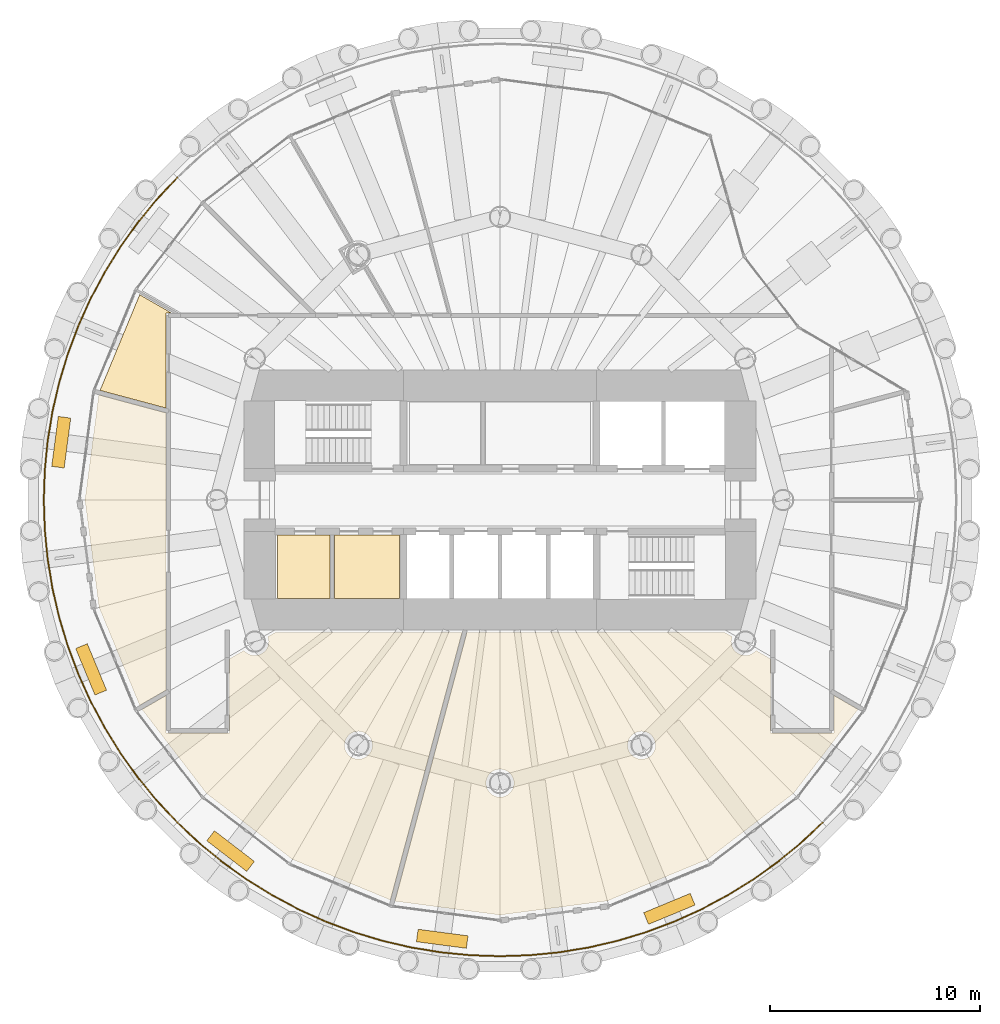
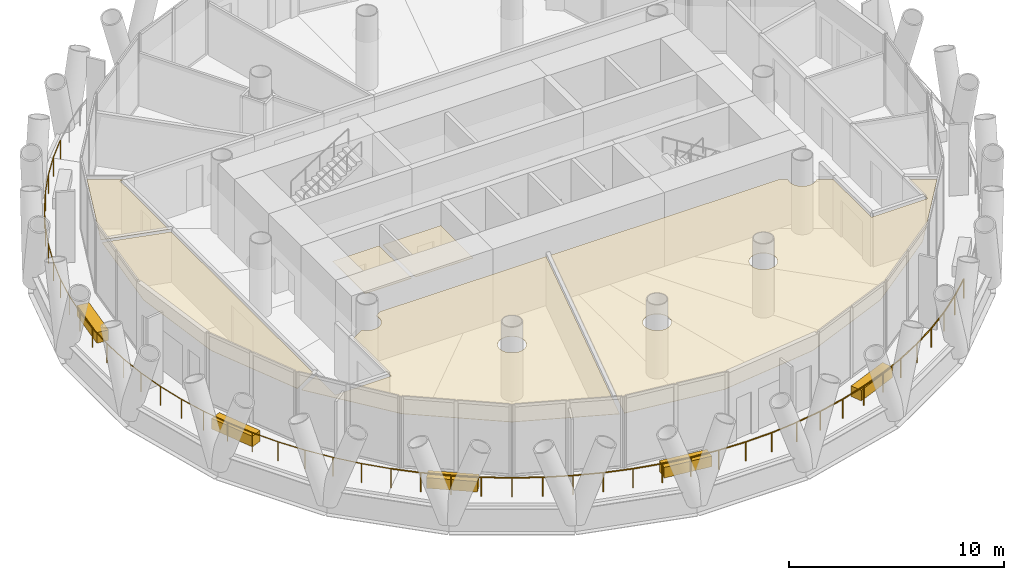
# One storey, part 12 of 14: 11 coverings, 2 railings.
"""IFC4 building model written with IfcOpenShell, lengths in metres."""

from ifc_helpers import new_model, si_unit, direction, frame, origin, origin_2d, place, context, subcontext, project, spatial, polyline, rectangle, circle, outline, extrude, material, layer, layer_set, type_object, element, save


model = new_model("IFC4")

# Units and contexts
model_context = context("Model", 3, precision=1e-05, world=origin(), true_north=direction((0.0, 1.0)))
body_context = subcontext(model_context, "Body", "Model", "MODEL_VIEW")
ifc_project = project(units=[si_unit("LENGTHUNIT", "METRE"), si_unit("AREAUNIT", "SQUARE_METRE"), si_unit("VOLUMEUNIT", "CUBIC_METRE"), si_unit("PLANEANGLEUNIT", "RADIAN"), si_unit("MASSUNIT", "GRAM", prefix="KILO")], contexts=[model_context])

# Site, building, storey
site_placement = place(None, origin())
site = spatial("IfcSite", under=ifc_project, at=site_placement, CompositionType="ELEMENT")
building_placement = place(site_placement, origin())
building = spatial("IfcBuilding", under=site, at=building_placement, Name="Qaws Media Tower", CompositionType="ELEMENT")
storey_placement = place(building_placement, frame((0.0, 0.0, 236.0)))
storey = spatial("IfcBuildingStorey", under=building, at=storey_placement, Name="L54", CompositionType="ELEMENT", Elevation=236.0)

# Railings
ifc_material_1 = material(Name="Stainless steel and glass guard", Category="steel")
railing_type = type_object("IfcRailingType", Name="Balcony guard 1100", PredefinedType="GUARDRAIL", material=ifc_material_1)
railing_1_placement = place(storey_placement, frame((44.620361328125, 65.379638671875, 0.0)))
element("IfcRailing", 1, at=railing_1_placement, inside=storey, type_object=railing_type, Name="GR1 balcony guard L54-2", PredefinedType="GUARDRAIL", context=body_context, shape_type="SweptSolid", body=[
    extrude(circle(Radius=0.02392578125, at=origin_2d()), frame((0.0, 0.0, 1.076171875), z_axis=(-0.683570152286, -0.72988481756, 0.0), x_axis=(0.72988481756, -0.683570152286, 0.0)), (0.0, 0.0, 1.0), 1.42333984375),
    extrude(circle(Radius=0.02392578125, at=origin_2d()), frame((-0.972900390625, -1.038818359375, 1.076171875), z_axis=(-0.63431135461, -0.773077683944, 0.0), x_axis=(0.773077683944, -0.63431135461, 0.0)), (0.0, 0.0, 1.0), 1.42333984375),
    extrude(circle(Radius=0.02392578125, at=origin_2d()), frame((-1.875732421875, -2.13916015625, 1.076171875), z_axis=(-0.582568052269, -0.812781929226, 0.0), x_axis=(0.812781929226, -0.582568052269, 0.0)), (0.0, 0.0, 1.0), 1.423095703125),
    extrude(circle(Radius=0.02392578125, at=origin_2d()), frame((-2.704833984375, -3.2958984375, 1.076171875), z_axis=(-0.527977591045, -0.849258301905, 0.0), x_axis=(0.849258301905, -0.527977591045, 0.0)), (0.0, 0.0, 1.0), 1.42333984375),
    extrude(circle(Radius=0.02392578125, at=origin_2d()), frame((-3.456298828125, -4.504638671875, 1.076171875), z_axis=(-0.471540585059, -0.881844360782, 0.0), x_axis=(0.881844360782, -0.471540585059, 0.0)), (0.0, 0.0, 1.0), 1.42333984375),
    extrude(circle(Radius=0.02392578125, at=origin_2d()), frame((-4.12744140625, -5.759765625, 1.076171875), z_axis=(-0.412717034944, -0.910859291585, 0.0), x_axis=(0.910859291585, -0.412717034944, 0.0)), (0.0, 0.0, 1.0), 1.42333984375),
    extrude(circle(Radius=0.02392578125, at=origin_2d()), frame((-4.71484375, -7.05615234375, 1.076171875), z_axis=(-0.352119437145, -0.935955074768, 0.0), x_axis=(0.935955074768, -0.352119437145, 0.0)), (0.0, 0.0, 1.0), 1.42333984375),
    extrude(circle(Radius=0.02392578125, at=origin_2d()), frame((-5.216064453125, -8.388427734375, 1.076171875), z_axis=(-0.290274025641, -0.956943566799, 0.0), x_axis=(0.956943566799, -0.290274025641, 0.0)), (0.0, 0.0, 1.0), 1.423095703125),
    extrude(circle(Radius=0.02392578125, at=origin_2d()), frame((-5.629150390625, -9.750244140625, 1.076171875), z_axis=(-0.227088640267, -0.973874093229, 0.0), x_axis=(0.973874093229, -0.227088640267, 0.0)), (0.0, 0.0, 1.0), 1.42333984375),
    extrude(circle(Radius=0.02392578125, at=origin_2d()), frame((-5.952392578125, -11.136474609375, 1.076171875), z_axis=(-0.162952405143, -0.986633930928, 0.0), x_axis=(0.986633930928, -0.162952405143, 0.0)), (0.0, 0.0, 1.0), 1.42333984375),
    extrude(circle(Radius=0.02392578125, at=origin_2d()), frame((-6.184326171875, -12.540771484375, 1.076171875), z_axis=(-0.097957905396, -0.995190559024, 0.0), x_axis=(0.995190559024, -0.097957905396, 0.0)), (0.0, 0.0, 1.0), 1.423095703125),
    extrude(circle(Radius=0.02392578125, at=origin_2d()), frame((-6.32373046875, -13.95703125, 1.076171875), z_axis=(-0.032760850332, -0.999463219276, 0.0), x_axis=(0.999463219276, -0.032760850332, 0.0)), (0.0, 0.0, 1.0), 1.42333984375),
    extrude(circle(Radius=0.02392578125, at=origin_2d()), frame((-6.370361328125, -15.379638671875, 1.076171875), z_axis=(0.032760850332, -0.999463219276, 0.0), x_axis=(0.999463219276, 0.032760850332, 0.0)), (0.0, 0.0, 1.0), 1.42333984375),
    extrude(circle(Radius=0.02392578125, at=origin_2d()), frame((-6.32373046875, -16.80224609375, 1.076171875), z_axis=(0.097957905396, -0.995190559024, 0.0), x_axis=(0.995190559024, 0.097957905396, 0.0)), (0.0, 0.0, 1.0), 1.423095703125),
    extrude(circle(Radius=0.02392578125, at=origin_2d()), frame((-6.184326171875, -18.218505859375, 1.076171875), z_axis=(0.162952405143, -0.986633930928, 0.0), x_axis=(0.986633930928, 0.162952405143, 0.0)), (0.0, 0.0, 1.0), 1.42333984375),
    extrude(circle(Radius=0.02392578125, at=origin_2d()), frame((-5.952392578125, -19.622802734375, 1.076171875), z_axis=(0.227088640267, -0.973874093229, 0.0), x_axis=(0.973874093229, 0.227088640267, 0.0)), (0.0, 0.0, 1.0), 1.42333984375),
    extrude(circle(Radius=0.02392578125, at=origin_2d()), frame((-5.629150390625, -21.009033203125, 1.076171875), z_axis=(0.290274025641, -0.956943566799, 0.0), x_axis=(0.956943566799, 0.290274025641, 0.0)), (0.0, 0.0, 1.0), 1.423095703125),
    extrude(circle(Radius=0.02392578125, at=origin_2d()), frame((-5.216064453125, -22.370849609375, 1.076171875), z_axis=(0.352119437145, -0.935955074768, 0.0), x_axis=(0.935955074768, 0.352119437145, 0.0)), (0.0, 0.0, 1.0), 1.42333984375),
    extrude(circle(Radius=0.02392578125, at=origin_2d()), frame((-4.71484375, -23.703125, 1.076171875), z_axis=(0.412717034944, -0.910859291585, 0.0), x_axis=(0.910859291585, 0.412717034944, 0.0)), (0.0, 0.0, 1.0), 1.42333984375),
    extrude(circle(Radius=0.02392578125, at=origin_2d()), frame((-4.12744140625, -24.99951171875, 1.076171875), z_axis=(0.471540585059, -0.881844360782, 0.0), x_axis=(0.881844360782, 0.471540585059, 0.0)), (0.0, 0.0, 1.0), 1.42333984375),
    extrude(circle(Radius=0.02392578125, at=origin_2d()), frame((-3.456298828125, -26.254638671875, 1.076171875), z_axis=(0.527977591045, -0.849258301905, 0.0), x_axis=(0.849258301905, 0.527977591045, 0.0)), (0.0, 0.0, 1.0), 1.42333984375),
    extrude(circle(Radius=0.02392578125, at=origin_2d()), frame((-2.704833984375, -27.46337890625, 1.076171875), z_axis=(0.582568052269, -0.812781929226, 0.0), x_axis=(0.812781929226, 0.582568052269, 0.0)), (0.0, 0.0, 1.0), 1.423095703125),
    extrude(circle(Radius=0.02392578125, at=origin_2d()), frame((-1.875732421875, -28.6201171875, 1.076171875), z_axis=(0.63431135461, -0.773077683944, 0.0), x_axis=(0.773077683944, 0.63431135461, 0.0)), (0.0, 0.0, 1.0), 1.42333984375),
    extrude(circle(Radius=0.02392578125, at=origin_2d()), frame((-0.972900390625, -29.720458984375, 1.076171875), z_axis=(0.683570152286, -0.72988481756, 0.0), x_axis=(0.72988481756, 0.683570152286, 0.0)), (0.0, 0.0, 1.0), 1.42333984375),
    extrude(circle(Radius=0.02099609375, at=origin_2d()), origin(), (0.0, 0.0, 1.0), 1.052001953125),
    extrude(circle(Radius=0.02099609375, at=origin_2d()), frame((-0.972900390625, -1.038818359375, 0.0)), (0.0, 0.0, 1.0), 1.052001953125),
    extrude(circle(Radius=0.02099609375, at=origin_2d()), frame((-1.875732421875, -2.13916015625, 0.0)), (0.0, 0.0, 1.0), 1.052001953125),
    extrude(circle(Radius=0.02099609375, at=origin_2d()), frame((-2.704833984375, -3.2958984375, 0.0)), (0.0, 0.0, 1.0), 1.052001953125),
    extrude(circle(Radius=0.02099609375, at=origin_2d()), frame((-3.456298828125, -4.504638671875, 0.0)), (0.0, 0.0, 1.0), 1.052001953125),
    extrude(circle(Radius=0.02099609375, at=origin_2d()), frame((-4.12744140625, -5.759765625, 0.0)), (0.0, 0.0, 1.0), 1.052001953125),
    extrude(circle(Radius=0.02099609375, at=origin_2d()), frame((-4.71484375, -7.05615234375, 0.0)), (0.0, 0.0, 1.0), 1.052001953125),
    extrude(circle(Radius=0.02099609375, at=origin_2d()), frame((-5.216064453125, -8.388427734375, 0.0)), (0.0, 0.0, 1.0), 1.052001953125),
    extrude(circle(Radius=0.02099609375, at=origin_2d()), frame((-5.629150390625, -9.750244140625, 0.0)), (0.0, 0.0, 1.0), 1.052001953125),
    extrude(circle(Radius=0.02099609375, at=origin_2d()), frame((-5.952392578125, -11.136474609375, 0.0)), (0.0, 0.0, 1.0), 1.052001953125),
    extrude(circle(Radius=0.02099609375, at=origin_2d()), frame((-6.184326171875, -12.540771484375, 0.0)), (0.0, 0.0, 1.0), 1.052001953125),
    extrude(circle(Radius=0.02099609375, at=origin_2d()), frame((-6.32373046875, -13.95703125, 0.0)), (0.0, 0.0, 1.0), 1.052001953125),
    extrude(circle(Radius=0.02099609375, at=origin_2d()), frame((-6.370361328125, -15.379638671875, 0.0)), (0.0, 0.0, 1.0), 1.052001953125),
    extrude(circle(Radius=0.02099609375, at=origin_2d()), frame((-6.32373046875, -16.80224609375, 0.0)), (0.0, 0.0, 1.0), 1.052001953125),
    extrude(circle(Radius=0.02099609375, at=origin_2d()), frame((-6.184326171875, -18.218505859375, 0.0)), (0.0, 0.0, 1.0), 1.052001953125),
    extrude(circle(Radius=0.02099609375, at=origin_2d()), frame((-5.952392578125, -19.622802734375, 0.0)), (0.0, 0.0, 1.0), 1.052001953125),
    extrude(circle(Radius=0.02099609375, at=origin_2d()), frame((-5.629150390625, -21.009033203125, 0.0)), (0.0, 0.0, 1.0), 1.052001953125),
    extrude(circle(Radius=0.02099609375, at=origin_2d()), frame((-5.216064453125, -22.370849609375, 0.0)), (0.0, 0.0, 1.0), 1.052001953125),
    extrude(circle(Radius=0.02099609375, at=origin_2d()), frame((-4.71484375, -23.703125, 0.0)), (0.0, 0.0, 1.0), 1.052001953125),
    extrude(circle(Radius=0.02099609375, at=origin_2d()), frame((-4.12744140625, -24.99951171875, 0.0)), (0.0, 0.0, 1.0), 1.052001953125),
    extrude(circle(Radius=0.02099609375, at=origin_2d()), frame((-3.456298828125, -26.254638671875, 0.0)), (0.0, 0.0, 1.0), 1.052001953125),
    extrude(circle(Radius=0.02099609375, at=origin_2d()), frame((-2.704833984375, -27.46337890625, 0.0)), (0.0, 0.0, 1.0), 1.052001953125),
    extrude(circle(Radius=0.02099609375, at=origin_2d()), frame((-1.875732421875, -28.6201171875, 0.0)), (0.0, 0.0, 1.0), 1.052001953125),
    extrude(circle(Radius=0.02099609375, at=origin_2d()), frame((-0.972900390625, -29.720458984375, 0.0)), (0.0, 0.0, 1.0), 1.052001953125),
    extrude(circle(Radius=0.02099609375, at=origin_2d()), frame((0.0, -30.75927734375, 0.0)), (0.0, 0.0, 1.0), 1.052001953125),
])
railing_2_placement = place(storey_placement, frame((44.620361328125, 34.620361328125, 0.0)))
element("IfcRailing", 2, at=railing_2_placement, inside=storey, type_object=railing_type, Name="GR1 balcony guard L54-3", PredefinedType="GUARDRAIL", context=body_context, shape_type="SweptSolid", body=[
    extrude(circle(Radius=0.02392578125, at=origin_2d()), frame((0.0, 0.0, 1.076171875), z_axis=(0.72988481756, -0.683570152286, 0.0), x_axis=(0.683570152286, 0.72988481756, 0.0)), (0.0, 0.0, 1.0), 1.42333984375),
    extrude(circle(Radius=0.02392578125, at=origin_2d()), frame((1.038818359375, -0.972900390625, 1.076171875), z_axis=(0.773077683944, -0.63431135461, 0.0), x_axis=(0.63431135461, 0.773077683944, 0.0)), (0.0, 0.0, 1.0), 1.42333984375),
    extrude(circle(Radius=0.02392578125, at=origin_2d()), frame((2.13916015625, -1.875732421875, 1.076171875), z_axis=(0.812781929226, -0.582568052269, 0.0), x_axis=(0.582568052269, 0.812781929226, 0.0)), (0.0, 0.0, 1.0), 1.423095703125),
    extrude(circle(Radius=0.02392578125, at=origin_2d()), frame((3.2958984375, -2.704833984375, 1.076171875), z_axis=(0.849258301905, -0.527977591045, 0.0), x_axis=(0.527977591045, 0.849258301905, 0.0)), (0.0, 0.0, 1.0), 1.42333984375),
    extrude(circle(Radius=0.02392578125, at=origin_2d()), frame((4.504638671875, -3.456298828125, 1.076171875), z_axis=(0.881844360782, -0.471540585059, 0.0), x_axis=(0.471540585059, 0.881844360782, 0.0)), (0.0, 0.0, 1.0), 1.42333984375),
    extrude(circle(Radius=0.02392578125, at=origin_2d()), frame((5.759765625, -4.12744140625, 1.076171875), z_axis=(0.910859291585, -0.412717034944, 0.0), x_axis=(0.412717034944, 0.910859291585, 0.0)), (0.0, 0.0, 1.0), 1.42333984375),
    extrude(circle(Radius=0.02392578125, at=origin_2d()), frame((7.05615234375, -4.71484375, 1.076171875), z_axis=(0.935955074768, -0.352119437145, 0.0), x_axis=(0.352119437145, 0.935955074768, 0.0)), (0.0, 0.0, 1.0), 1.42333984375),
    extrude(circle(Radius=0.02392578125, at=origin_2d()), frame((8.388427734375, -5.216064453125, 1.076171875), z_axis=(0.956943566799, -0.290274025641, 0.0), x_axis=(0.290274025641, 0.956943566799, 0.0)), (0.0, 0.0, 1.0), 1.423095703125),
    extrude(circle(Radius=0.02392578125, at=origin_2d()), frame((9.750244140625, -5.629150390625, 1.076171875), z_axis=(0.973874093229, -0.227088640267, 0.0), x_axis=(0.227088640267, 0.973874093229, 0.0)), (0.0, 0.0, 1.0), 1.42333984375),
    extrude(circle(Radius=0.02392578125, at=origin_2d()), frame((11.136474609375, -5.952392578125, 1.076171875), z_axis=(0.986633930928, -0.162952405143, 0.0), x_axis=(0.162952405143, 0.986633930928, 0.0)), (0.0, 0.0, 1.0), 1.42333984375),
    extrude(circle(Radius=0.02392578125, at=origin_2d()), frame((12.540771484375, -6.184326171875, 1.076171875), z_axis=(0.995190559024, -0.097957905396, 0.0), x_axis=(0.097957905396, 0.995190559024, 0.0)), (0.0, 0.0, 1.0), 1.423095703125),
    extrude(circle(Radius=0.02392578125, at=origin_2d()), frame((13.95703125, -6.32373046875, 1.076171875), z_axis=(0.999463219276, -0.032760850332, 0.0), x_axis=(0.032760850332, 0.999463219276, 0.0)), (0.0, 0.0, 1.0), 1.42333984375),
    extrude(circle(Radius=0.02392578125, at=origin_2d()), frame((15.379638671875, -6.370361328125, 1.076171875), z_axis=(0.999463219276, 0.032760850332, 0.0), x_axis=(-0.032760850332, 0.999463219276, 0.0)), (0.0, 0.0, 1.0), 1.42333984375),
    extrude(circle(Radius=0.02392578125, at=origin_2d()), frame((16.80224609375, -6.32373046875, 1.076171875), z_axis=(0.995190559024, 0.097957905396, 0.0), x_axis=(-0.097957905396, 0.995190559024, 0.0)), (0.0, 0.0, 1.0), 1.423095703125),
    extrude(circle(Radius=0.02392578125, at=origin_2d()), frame((18.218505859375, -6.184326171875, 1.076171875), z_axis=(0.986633930928, 0.162952405143, 0.0), x_axis=(-0.162952405143, 0.986633930928, 0.0)), (0.0, 0.0, 1.0), 1.42333984375),
    extrude(circle(Radius=0.02392578125, at=origin_2d()), frame((19.622802734375, -5.952392578125, 1.076171875), z_axis=(0.973874093229, 0.227088640267, 0.0), x_axis=(-0.227088640267, 0.973874093229, 0.0)), (0.0, 0.0, 1.0), 1.42333984375),
    extrude(circle(Radius=0.02392578125, at=origin_2d()), frame((21.009033203125, -5.629150390625, 1.076171875), z_axis=(0.956943566799, 0.290274025641, 0.0), x_axis=(-0.290274025641, 0.956943566799, 0.0)), (0.0, 0.0, 1.0), 1.423095703125),
    extrude(circle(Radius=0.02392578125, at=origin_2d()), frame((22.370849609375, -5.216064453125, 1.076171875), z_axis=(0.935955074768, 0.352119437145, 0.0), x_axis=(-0.352119437145, 0.935955074768, 0.0)), (0.0, 0.0, 1.0), 1.42333984375),
    extrude(circle(Radius=0.02392578125, at=origin_2d()), frame((23.703125, -4.71484375, 1.076171875), z_axis=(0.910859291585, 0.412717034944, 0.0), x_axis=(-0.412717034944, 0.910859291585, 0.0)), (0.0, 0.0, 1.0), 1.42333984375),
    extrude(circle(Radius=0.02392578125, at=origin_2d()), frame((24.99951171875, -4.12744140625, 1.076171875), z_axis=(0.881844360782, 0.471540585059, 0.0), x_axis=(-0.471540585059, 0.881844360782, 0.0)), (0.0, 0.0, 1.0), 1.42333984375),
    extrude(circle(Radius=0.02392578125, at=origin_2d()), frame((26.254638671875, -3.456298828125, 1.076171875), z_axis=(0.849258301905, 0.527977591045, 0.0), x_axis=(-0.527977591045, 0.849258301905, 0.0)), (0.0, 0.0, 1.0), 1.42333984375),
    extrude(circle(Radius=0.02392578125, at=origin_2d()), frame((27.46337890625, -2.704833984375, 1.076171875), z_axis=(0.812781929226, 0.582568052269, 0.0), x_axis=(-0.582568052269, 0.812781929226, 0.0)), (0.0, 0.0, 1.0), 1.423095703125),
    extrude(circle(Radius=0.02392578125, at=origin_2d()), frame((28.6201171875, -1.875732421875, 1.076171875), z_axis=(0.773077683944, 0.63431135461, 0.0), x_axis=(-0.63431135461, 0.773077683944, 0.0)), (0.0, 0.0, 1.0), 1.42333984375),
    extrude(circle(Radius=0.02392578125, at=origin_2d()), frame((29.720458984375, -0.972900390625, 1.076171875), z_axis=(0.72988481756, 0.683570152286, 0.0), x_axis=(-0.683570152286, 0.72988481756, 0.0)), (0.0, 0.0, 1.0), 1.42333984375),
    extrude(circle(Radius=0.02099609375, at=origin_2d()), origin(), (0.0, 0.0, 1.0), 1.052001953125),
    extrude(circle(Radius=0.02099609375, at=origin_2d()), frame((1.038818359375, -0.972900390625, 0.0)), (0.0, 0.0, 1.0), 1.052001953125),
    extrude(circle(Radius=0.02099609375, at=origin_2d()), frame((2.13916015625, -1.875732421875, 0.0)), (0.0, 0.0, 1.0), 1.052001953125),
    extrude(circle(Radius=0.02099609375, at=origin_2d()), frame((3.2958984375, -2.704833984375, 0.0)), (0.0, 0.0, 1.0), 1.052001953125),
    extrude(circle(Radius=0.02099609375, at=origin_2d()), frame((4.504638671875, -3.456298828125, 0.0)), (0.0, 0.0, 1.0), 1.052001953125),
    extrude(circle(Radius=0.02099609375, at=origin_2d()), frame((5.759765625, -4.12744140625, 0.0)), (0.0, 0.0, 1.0), 1.052001953125),
    extrude(circle(Radius=0.02099609375, at=origin_2d()), frame((7.05615234375, -4.71484375, 0.0)), (0.0, 0.0, 1.0), 1.052001953125),
    extrude(circle(Radius=0.02099609375, at=origin_2d()), frame((8.388427734375, -5.216064453125, 0.0)), (0.0, 0.0, 1.0), 1.052001953125),
    extrude(circle(Radius=0.02099609375, at=origin_2d()), frame((9.750244140625, -5.629150390625, 0.0)), (0.0, 0.0, 1.0), 1.052001953125),
    extrude(circle(Radius=0.02099609375, at=origin_2d()), frame((11.136474609375, -5.952392578125, 0.0)), (0.0, 0.0, 1.0), 1.052001953125),
    extrude(circle(Radius=0.02099609375, at=origin_2d()), frame((12.540771484375, -6.184326171875, 0.0)), (0.0, 0.0, 1.0), 1.052001953125),
    extrude(circle(Radius=0.02099609375, at=origin_2d()), frame((13.95703125, -6.32373046875, 0.0)), (0.0, 0.0, 1.0), 1.052001953125),
    extrude(circle(Radius=0.02099609375, at=origin_2d()), frame((15.379638671875, -6.370361328125, 0.0)), (0.0, 0.0, 1.0), 1.052001953125),
    extrude(circle(Radius=0.02099609375, at=origin_2d()), frame((16.80224609375, -6.32373046875, 0.0)), (0.0, 0.0, 1.0), 1.052001953125),
    extrude(circle(Radius=0.02099609375, at=origin_2d()), frame((18.218505859375, -6.184326171875, 0.0)), (0.0, 0.0, 1.0), 1.052001953125),
    extrude(circle(Radius=0.02099609375, at=origin_2d()), frame((19.622802734375, -5.952392578125, 0.0)), (0.0, 0.0, 1.0), 1.052001953125),
    extrude(circle(Radius=0.02099609375, at=origin_2d()), frame((21.009033203125, -5.629150390625, 0.0)), (0.0, 0.0, 1.0), 1.052001953125),
    extrude(circle(Radius=0.02099609375, at=origin_2d()), frame((22.370849609375, -5.216064453125, 0.0)), (0.0, 0.0, 1.0), 1.052001953125),
    extrude(circle(Radius=0.02099609375, at=origin_2d()), frame((23.703125, -4.71484375, 0.0)), (0.0, 0.0, 1.0), 1.052001953125),
    extrude(circle(Radius=0.02099609375, at=origin_2d()), frame((24.99951171875, -4.12744140625, 0.0)), (0.0, 0.0, 1.0), 1.052001953125),
    extrude(circle(Radius=0.02099609375, at=origin_2d()), frame((26.254638671875, -3.456298828125, 0.0)), (0.0, 0.0, 1.0), 1.052001953125),
    extrude(circle(Radius=0.02099609375, at=origin_2d()), frame((27.46337890625, -2.704833984375, 0.0)), (0.0, 0.0, 1.0), 1.052001953125),
    extrude(circle(Radius=0.02099609375, at=origin_2d()), frame((28.6201171875, -1.875732421875, 0.0)), (0.0, 0.0, 1.0), 1.052001953125),
    extrude(circle(Radius=0.02099609375, at=origin_2d()), frame((29.720458984375, -0.972900390625, 0.0)), (0.0, 0.0, 1.0), 1.052001953125),
    extrude(circle(Radius=0.02099609375, at=origin_2d()), frame((30.75927734375, 0.0, 0.0)), (0.0, 0.0, 1.0), 1.052001953125),
])

# Coverings
ifc_material_2 = material(Name="600 x 600 mineral fibre tiles in exposed grid, suspended", Category="mineral fibre")
ifc_layer_1 = layer(ifc_material_2, 0.02001953125)
ifc_layer_set_1 = layer_set([ifc_layer_1], Name="Mineral fibre tile ceiling 20")
covering_type_1 = type_object("IfcCoveringType", Name="Mineral fibre tile ceiling 20", PredefinedType="CEILING", material=ifc_layer_set_1)
covering_1_placement = place(storey_placement, frame((0.0, 0.0, 2.85009765625)))
element("IfcCovering", 3, at=covering_1_placement, inside=storey, type_object=covering_type_1, Name="CL1 ceiling L54-07 Office", PredefinedType="CEILING", context=body_context, shape_type="SweptSolid", body=[
    extrude(outline(polyline([(42.822021484375, 59.787841796875), (44.338134765625, 58.91259765625), (44.08740234375, 58.91259765625), (44.08740234375, 54.380126953125), (40.932373046875, 55.2255859375), (42.822021484375, 59.787841796875)])), origin(), (0.0, 0.0, 1.0), 0.02001953125),
])
covering_2_placement = place(storey_placement, frame((0.0, 0.0, 2.85009765625)))
element("IfcCovering", 4, at=covering_2_placement, inside=storey, type_object=covering_type_1, Name="CL1 ceiling L54-08 Tenant office", PredefinedType="CEILING", context=body_context, shape_type="SweptSolid", body=[
    extrude(outline(polyline([(40.888916015625, 44.879150390625), (40.21484375, 50.0), (40.8740234375, 55.00830078125), (44.08740234375, 54.147216796875), (44.08740234375, 40.94287109375), (42.822021484375, 40.212158203125), (40.888916015625, 44.879150390625)])), origin(), (0.0, 0.0, 1.0), 0.02001953125),
])
covering_3_placement = place(storey_placement, frame((0.0, 0.0, 2.85009765625)))
element("IfcCovering", 5, at=covering_3_placement, inside=storey, type_object=covering_type_1, Name="CL1 ceiling L54-09 Tenant office", PredefinedType="CEILING", context=body_context, shape_type="SweptSolid", body=[
    extrude(outline(polyline([(50.107421875, 32.865478515625), (46.009765625, 36.009765625), (42.9345703125, 40.017333984375), (44.08740234375, 40.68310546875), (44.08740234375, 38.887451171875), (47.112548828125, 38.887451171875), (47.112548828125, 42.429443359375), (47.795654296875, 42.823974609375), (47.836181640625, 42.777587890625), (47.902099609375, 42.719970703125), (47.974609375, 42.67138671875), (48.052978515625, 42.6328125), (48.1357421875, 42.604736328125), (48.221435546875, 42.587646484375), (48.30859375, 42.58203125), (48.395751953125, 42.587646484375), (48.4814453125, 42.604736328125), (48.564208984375, 42.6328125), (48.642578125, 42.67138671875), (48.71533203125, 42.719970703125), (48.781005859375, 42.777587890625), (48.838623046875, 42.84326171875), (48.88720703125, 42.916015625), (48.92578125, 42.994384765625), (48.953857421875, 43.0771484375), (48.970947265625, 43.162841796875), (48.976806640625, 43.25), (48.970947265625, 43.337158203125), (48.953857421875, 43.4228515625), (48.93408203125, 43.481201171875), (49.29150390625, 43.6875), (58.192138671875, 43.6875), (54.7744140625, 30.932373046875), (50.107421875, 32.865478515625)]), holes=[polyline([(53.895263671875, 38.1357421875), (53.912353515625, 38.221435546875), (53.91796875, 38.30859375), (53.912353515625, 38.395751953125), (53.895263671875, 38.4814453125), (53.8671875, 38.564208984375), (53.82861328125, 38.642578125), (53.780029296875, 38.71533203125), (53.722412109375, 38.781005859375), (53.65673828125, 38.838623046875), (53.583984375, 38.88720703125), (53.505615234375, 38.92578125), (53.4228515625, 38.953857421875), (53.337158203125, 38.970947265625), (53.25, 38.976806640625), (53.162841796875, 38.970947265625), (53.0771484375, 38.953857421875), (52.994384765625, 38.92578125), (52.916015625, 38.88720703125), (52.84326171875, 38.838623046875), (52.777587890625, 38.781005859375), (52.719970703125, 38.71533203125), (52.67138671875, 38.642578125), (52.6328125, 38.564208984375), (52.604736328125, 38.4814453125), (52.587646484375, 38.395751953125), (52.58203125, 38.30859375), (52.587646484375, 38.221435546875), (52.604736328125, 38.1357421875), (52.6328125, 38.052978515625), (52.67138671875, 37.974609375), (52.719970703125, 37.902099609375), (52.777587890625, 37.836181640625), (52.84326171875, 37.77880859375), (52.916015625, 37.730224609375), (52.994384765625, 37.69140625), (53.0771484375, 37.663330078125), (53.162841796875, 37.646484375), (53.25, 37.640625), (53.337158203125, 37.646484375), (53.4228515625, 37.663330078125), (53.505615234375, 37.69140625), (53.583984375, 37.730224609375), (53.65673828125, 37.77880859375), (53.722412109375, 37.836181640625), (53.780029296875, 37.902099609375), (53.82861328125, 37.974609375), (53.8671875, 38.052978515625), (53.895263671875, 38.1357421875)])]), origin(), (0.0, 0.0, 1.0), 0.02001953125),
])
covering_4_placement = place(storey_placement, frame((0.0, 0.0, 2.85009765625)))
element("IfcCovering", 6, at=covering_4_placement, inside=storey, type_object=covering_type_1, Name="CL1 ceiling L54-10 Tenant office", PredefinedType="CEILING", context=body_context, shape_type="SweptSolid", body=[
    extrude(outline(polyline([(72.887451171875, 38.887451171875), (75.91259765625, 38.887451171875), (75.91259765625, 40.68310546875), (77.0654296875, 40.017333984375), (73.990234375, 36.009765625), (69.892578125, 32.865478515625), (65.120849609375, 30.888916015625), (60.0, 30.21484375), (54.99169921875, 30.8740234375), (58.425048828125, 43.6875), (70.70849609375, 43.6875), (71.06591796875, 43.481201171875), (71.046142578125, 43.4228515625), (71.029052734375, 43.337158203125), (71.023193359375, 43.25), (71.029052734375, 43.162841796875), (71.046142578125, 43.0771484375), (71.07421875, 42.994384765625), (71.11279296875, 42.916015625), (71.161376953125, 42.84326171875), (71.218994140625, 42.777587890625), (71.28466796875, 42.719970703125), (71.357421875, 42.67138671875), (71.435791015625, 42.6328125), (71.5185546875, 42.604736328125), (71.604248046875, 42.587646484375), (71.69140625, 42.58203125), (71.778564453125, 42.587646484375), (71.8642578125, 42.604736328125), (71.947021484375, 42.6328125), (72.025390625, 42.67138671875), (72.097900390625, 42.719970703125), (72.163818359375, 42.777587890625), (72.204345703125, 42.823974609375), (72.887451171875, 42.429443359375), (72.887451171875, 38.887451171875)]), holes=[polyline([(60.645263671875, 36.3271484375), (60.662353515625, 36.412841796875), (60.66796875, 36.5), (60.662353515625, 36.587158203125), (60.645263671875, 36.6728515625), (60.6171875, 36.755615234375), (60.57861328125, 36.833984375), (60.530029296875, 36.90673828125), (60.472412109375, 36.972412109375), (60.40673828125, 37.030029296875), (60.333984375, 37.07861328125), (60.255615234375, 37.1171875), (60.1728515625, 37.145263671875), (60.087158203125, 37.162353515625), (60.0, 37.16796875), (59.912841796875, 37.162353515625), (59.8271484375, 37.145263671875), (59.744384765625, 37.1171875), (59.666015625, 37.07861328125), (59.59326171875, 37.030029296875), (59.527587890625, 36.972412109375), (59.469970703125, 36.90673828125), (59.42138671875, 36.833984375), (59.3828125, 36.755615234375), (59.354736328125, 36.6728515625), (59.337646484375, 36.587158203125), (59.33203125, 36.5), (59.337646484375, 36.412841796875), (59.354736328125, 36.3271484375), (59.3828125, 36.244384765625), (59.42138671875, 36.166015625), (59.469970703125, 36.09326171875), (59.527587890625, 36.027587890625), (59.59326171875, 35.969970703125), (59.666015625, 35.92138671875), (59.744384765625, 35.8828125), (59.8271484375, 35.854736328125), (59.912841796875, 35.837646484375), (60.0, 35.83203125), (60.087158203125, 35.837646484375), (60.1728515625, 35.854736328125), (60.255615234375, 35.8828125), (60.333984375, 35.92138671875), (60.40673828125, 35.969970703125), (60.472412109375, 36.027587890625), (60.530029296875, 36.09326171875), (60.57861328125, 36.166015625), (60.6171875, 36.244384765625), (60.645263671875, 36.3271484375)]), polyline([(67.3671875, 38.052978515625), (67.395263671875, 38.1357421875), (67.412353515625, 38.221435546875), (67.41796875, 38.30859375), (67.412353515625, 38.395751953125), (67.395263671875, 38.4814453125), (67.3671875, 38.564208984375), (67.32861328125, 38.642578125), (67.280029296875, 38.71533203125), (67.222412109375, 38.781005859375), (67.15673828125, 38.838623046875), (67.083984375, 38.88720703125), (67.005615234375, 38.92578125), (66.9228515625, 38.953857421875), (66.837158203125, 38.970947265625), (66.75, 38.976806640625), (66.662841796875, 38.970947265625), (66.5771484375, 38.953857421875), (66.494384765625, 38.92578125), (66.416015625, 38.88720703125), (66.34326171875, 38.838623046875), (66.277587890625, 38.781005859375), (66.219970703125, 38.71533203125), (66.17138671875, 38.642578125), (66.1328125, 38.564208984375), (66.104736328125, 38.4814453125), (66.087646484375, 38.395751953125), (66.08203125, 38.30859375), (66.087646484375, 38.221435546875), (66.104736328125, 38.1357421875), (66.1328125, 38.052978515625), (66.17138671875, 37.974609375), (66.219970703125, 37.902099609375), (66.277587890625, 37.836181640625), (66.34326171875, 37.77880859375), (66.416015625, 37.730224609375), (66.494384765625, 37.69140625), (66.5771484375, 37.663330078125), (66.662841796875, 37.646484375), (66.75, 37.640625), (66.837158203125, 37.646484375), (66.9228515625, 37.663330078125), (67.005615234375, 37.69140625), (67.083984375, 37.730224609375), (67.15673828125, 37.77880859375), (67.222412109375, 37.836181640625), (67.280029296875, 37.902099609375), (67.32861328125, 37.974609375), (67.3671875, 38.052978515625)])]), origin(), (0.0, 0.0, 1.0), 0.02001953125),
])
covering_5_placement = place(storey_placement, frame((0.0, 0.0, 2.85009765625)))
element("IfcCovering", 7, at=covering_5_placement, inside=storey, type_object=covering_type_1, Name="CL1 ceiling L54-C05 Shower room", PredefinedType="CEILING", context=body_context, shape_type="SweptSolid", body=[
    extrude(outline(polyline([(52.10009765625, 45.300048828125), (52.10009765625, 48.324951171875), (55.199951171875, 48.324951171875), (55.199951171875, 45.300048828125), (52.10009765625, 45.300048828125)])), origin(), (0.0, 0.0, 1.0), 0.02001953125),
])
ifc_material_3 = material(Name="Precast concrete planter with trailing planting", Category="concrete")
ifc_layer_2 = layer(ifc_material_3, 0.60009765625)
ifc_layer_set_2 = layer_set([ifc_layer_2], Name="Planter 2400x600")
covering_type_2 = type_object("IfcCoveringType", Name="Planter 2400x600", PredefinedType="USERDEFINED", material=ifc_layer_set_2)
for number, where, z_axis, x_axis, name in (
    (8, (39.08056640625, 52.754150390625, 0.0), (0.0, 0.0, 1.0), (-0.13052619222, -0.991444861374, 0.0), "PL1 balcony planter L54-06"),
    (9, (40.506103515625, 41.92529296875, 0.0), (0.0, 0.0, 1.0), (0.382683432365, -0.923879532511, 0.0), "PL1 balcony planter L54-07"),
    (10, (47.155029296875, 33.26025390625, 0.0), (0.0, 0.0, 1.0), (0.793353340291, -0.608761429009, 0.0), "PL1 balcony planter L54-08"),
    (11, (57.245849609375, 29.08056640625, 0.0), (0.0, 0.0, 1.0), (0.991444861374, -0.13052619222, 0.0), "PL1 balcony planter L54-09"),
    (12, (68.07470703125, 30.506103515625, 0.0), (0.0, 0.0, 1.0), (0.923879532511, 0.382683432365, 0.0), "PL1 balcony planter L54-10"),
):
    element("IfcCovering", number, at=place(storey_placement, frame(where, z_axis=z_axis, x_axis=x_axis)), inside=storey, type_object=covering_type_2, Name=name, ObjectType="PLANTER", PredefinedType="USERDEFINED", context=body_context, shape_type="SweptSolid", body=[
        extrude(rectangle(XDim=2.39990234375, YDim=0.60009765625, at=origin_2d()), origin(), (0.0, 0.0, 1.0), 0.60009765625),
    ])
ifc_material_4 = material(Name="Two layers 12.5 moisture-resistant plasterboard on suspended metal furring", Category="gypsum")
ifc_layer_3 = layer(ifc_material_4, 0.02490234375)
ifc_layer_set_3 = layer_set([ifc_layer_3], Name="Plasterboard ceiling 25")
covering_type_3 = type_object("IfcCoveringType", Name="Plasterboard ceiling 25", PredefinedType="CEILING", material=ifc_layer_set_3)
covering_6_placement = place(storey_placement, frame((0.0, 0.0, 2.85009765625)))
element("IfcCovering", 13, at=covering_6_placement, inside=storey, type_object=covering_type_3, Name="CL2 ceiling L54-C04 Accessible WC", PredefinedType="CEILING", context=body_context, shape_type="SweptSolid", body=[
    extrude(outline(polyline([(49.39990234375, 45.300048828125), (49.39990234375, 48.324951171875), (51.89990234375, 48.324951171875), (51.89990234375, 45.300048828125), (49.39990234375, 45.300048828125)])), origin(), (0.0, 0.0, 1.0), 0.02490234375),
])

save(model, "model.ifc")
